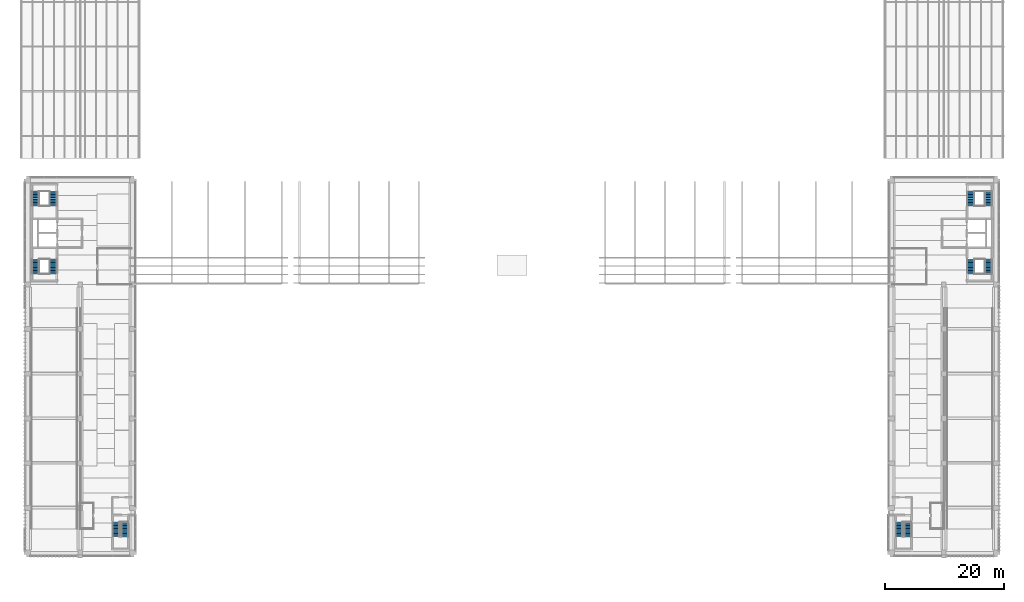
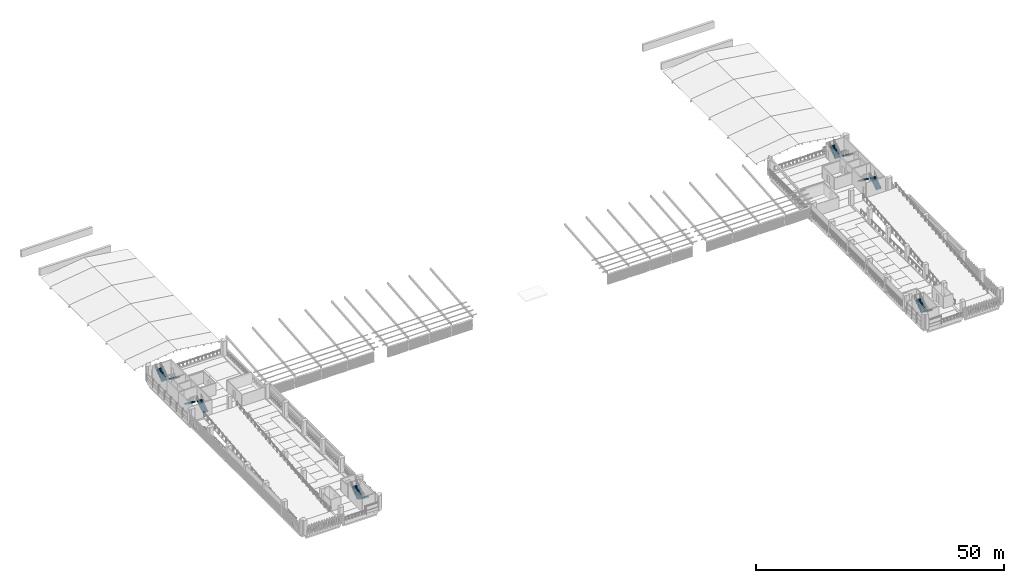
# One storey, part 26 of 52: 12 stair flights, 6 elements without a shape of their own.
"""IFC4 building model written with IfcOpenShell, lengths in metres."""

from ifc_helpers import new_model, si_unit, direction, frame, origin, place, context, subcontext, project, spatial, polyline, outline, extrude, material, type_object, element, aggregate, save


model = new_model("IFC4")

# Units and contexts
model_context = context("Model", 3, precision=1e-05, world=origin(), true_north=direction((0.0, 1.0)))
body_context = subcontext(model_context, "Body", "Model", "MODEL_VIEW")
ifc_project = project(units=[si_unit("LENGTHUNIT", "METRE"), si_unit("AREAUNIT", "SQUARE_METRE"), si_unit("VOLUMEUNIT", "CUBIC_METRE"), si_unit("PLANEANGLEUNIT", "RADIAN"), si_unit("MASSUNIT", "GRAM", prefix="KILO")], contexts=[model_context])

# Site, building, storey
site_placement = place(None, origin())
site = spatial("IfcSite", under=ifc_project, at=site_placement, CompositionType="ELEMENT")
building_placement = place(site_placement, origin())
building = spatial("IfcBuilding", under=site, at=building_placement, Name="Cour d'Honneur Mobility Palace", CompositionType="ELEMENT")
storey_placement = place(building_placement, frame((0.0, 0.0, 23.0)))
storey = spatial("IfcBuildingStorey", under=building, at=storey_placement, Name="L06", CompositionType="ELEMENT", Elevation=23.0)

# Stair, stair flights
ifc_material_1 = material(Name="Concrete C50", Category="concrete")
stair_type = type_object("IfcStairType", Name="Stair 20 risers", PredefinedType="HALF_TURN_STAIR", material=ifc_material_1)
stair_1_placement = place(storey_placement, origin())
stair_1 = element("IfcStair", 1, at=stair_1_placement, inside=storey, type_object=stair_type, Name="Stair ST-CW1", PredefinedType="HALF_TURN_STAIR")
ifc_material_2 = material(Name="Concrete C50", Category="concrete")
stair_flight_type = type_object("IfcStairFlightType", Name="Stair flight 1250", PredefinedType="STRAIGHT", material=ifc_material_2)
stair_flight_1_placement = place(storey_placement, frame((4.175048828125, 46.77490234375, 0.0), z_axis=(0.0, 0.0, 1.0), x_axis=(0.0, 1.0, 0.0)))
stair_flight_1 = element("IfcStairFlight", 2, at=stair_flight_1_placement, type_object=stair_flight_type, Name="ST-CW1 flight 1", NumberOfRisers=10, NumberOfTreads=9, PredefinedType="STRAIGHT", RiserHeight=0.185, TreadLength=0.27, context=body_context, shape_type="SweptSolid", body=[
    extrude(outline(polyline([(0.0, 0.0), (0.0, 0.18505859375), (0.27001953125, 0.18505859375), (0.27001953125, 0.3701171875), (0.5400390625, 0.3701171875), (0.5400390625, 0.554931640625), (0.81005859375, 0.554931640625), (0.81005859375, 0.739990234375), (1.080078125, 0.739990234375), (1.080078125, 0.925048828125), (1.35009765625, 0.925048828125), (1.35009765625, 1.110107421875), (1.6201171875, 1.110107421875), (1.6201171875, 1.294921875), (1.889892578125, 1.294921875), (1.889892578125, 1.47998046875), (2.159912109375, 1.47998046875), (2.159912109375, 1.6650390625), (2.429931640625, 1.6650390625), (2.47998046875, 1.6650390625), (2.47998046875, 1.4833984375), (0.26513671875, 0.0), (0.0, 0.0)])), frame((0.0, 0.625, 0.0), z_axis=(0.0, -1.0, 0.0), x_axis=(1.0, 0.0, 0.0)), (0.0, 0.0, 1.0), 1.25),
])
stair_flight_2_placement = place(storey_placement, frame((1.199951171875, 49.205078125, 1.85009765625), z_axis=(0.0, 0.0, 1.0), x_axis=(0.0, -1.0, 0.0)))
stair_flight_2 = element("IfcStairFlight", 3, at=stair_flight_2_placement, type_object=stair_flight_type, Name="ST-CW1 flight 2", NumberOfRisers=10, NumberOfTreads=9, PredefinedType="STRAIGHT", RiserHeight=0.185, TreadLength=0.27, context=body_context, shape_type="SweptSolid", body=[
    extrude(outline(polyline([(0.0, 0.0), (0.0, 0.18505859375), (0.27001953125, 0.18505859375), (0.27001953125, 0.3701171875), (0.5400390625, 0.3701171875), (0.5400390625, 0.554931640625), (0.81005859375, 0.554931640625), (0.81005859375, 0.739990234375), (1.080078125, 0.739990234375), (1.080078125, 0.925048828125), (1.35009765625, 0.925048828125), (1.35009765625, 1.110107421875), (1.6201171875, 1.110107421875), (1.6201171875, 1.294921875), (1.889892578125, 1.294921875), (1.889892578125, 1.47998046875), (2.159912109375, 1.47998046875), (2.159912109375, 1.6650390625), (2.429931640625, 1.6650390625), (2.47998046875, 1.6650390625), (2.47998046875, 1.4833984375), (0.26513671875, 0.0), (0.0, 0.0)])), frame((0.0, 0.625, 0.0), z_axis=(0.0, -1.0, 0.0), x_axis=(1.0, 0.0, 0.0)), (0.0, 0.0, 1.0), 1.25),
])
aggregate(stair_1, [stair_flight_1, stair_flight_2])

stair_2_placement = place(storey_placement, origin())
stair_2 = element("IfcStair", 4, at=stair_2_placement, inside=storey, type_object=stair_type, Name="Stair ST-CW2", PredefinedType="HALF_TURN_STAIR")
stair_flight_3_placement = place(storey_placement, frame((4.175048828125, 60.625, 0.0), z_axis=(0.0, 0.0, 1.0), x_axis=(0.0, -1.0, 0.0)))
stair_flight_3 = element("IfcStairFlight", 5, at=stair_flight_3_placement, type_object=stair_flight_type, Name="ST-CW2 flight 1", NumberOfRisers=10, NumberOfTreads=9, PredefinedType="STRAIGHT", RiserHeight=0.185, TreadLength=0.27, context=body_context, shape_type="SweptSolid", body=[
    extrude(outline(polyline([(0.0, 0.0), (0.0, 0.18505859375), (0.27001953125, 0.18505859375), (0.27001953125, 0.3701171875), (0.5400390625, 0.3701171875), (0.5400390625, 0.554931640625), (0.81005859375, 0.554931640625), (0.81005859375, 0.739990234375), (1.080078125, 0.739990234375), (1.080078125, 0.925048828125), (1.35009765625, 0.925048828125), (1.35009765625, 1.110107421875), (1.6201171875, 1.110107421875), (1.6201171875, 1.294921875), (1.889892578125, 1.294921875), (1.889892578125, 1.47998046875), (2.159912109375, 1.47998046875), (2.159912109375, 1.6650390625), (2.429931640625, 1.6650390625), (2.47998046875, 1.6650390625), (2.47998046875, 1.4833984375), (0.26513671875, 0.0), (0.0, 0.0)])), frame((0.0, 0.625, 0.0), z_axis=(0.0, -1.0, 0.0), x_axis=(1.0, 0.0, 0.0)), (0.0, 0.0, 1.0), 1.25),
])
stair_flight_4_placement = place(storey_placement, frame((1.199951171875, 58.195068359375, 1.85009765625), z_axis=(0.0, 0.0, 1.0), x_axis=(0.0, 1.0, 0.0)))
stair_flight_4 = element("IfcStairFlight", 6, at=stair_flight_4_placement, type_object=stair_flight_type, Name="ST-CW2 flight 2", NumberOfRisers=10, NumberOfTreads=9, PredefinedType="STRAIGHT", RiserHeight=0.185, TreadLength=0.27, context=body_context, shape_type="SweptSolid", body=[
    extrude(outline(polyline([(0.0, 0.0), (0.0, 0.18505859375), (0.27001953125, 0.18505859375), (0.27001953125, 0.3701171875), (0.5400390625, 0.3701171875), (0.5400390625, 0.554931640625), (0.81005859375, 0.554931640625), (0.81005859375, 0.739990234375), (1.080078125, 0.739990234375), (1.080078125, 0.925048828125), (1.35009765625, 0.925048828125), (1.35009765625, 1.110107421875), (1.6201171875, 1.110107421875), (1.6201171875, 1.294921875), (1.889892578125, 1.294921875), (1.889892578125, 1.47998046875), (2.159912109375, 1.47998046875), (2.159912109375, 1.6650390625), (2.429931640625, 1.6650390625), (2.47998046875, 1.6650390625), (2.47998046875, 1.4833984375), (0.26513671875, 0.0), (0.0, 0.0)])), frame((0.0, 0.625, 0.0), z_axis=(0.0, -1.0, 0.0), x_axis=(1.0, 0.0, 0.0)), (0.0, 0.0, 1.0), 1.25),
])
aggregate(stair_2, [stair_flight_3, stair_flight_4])

stair_3_placement = place(storey_placement, origin())
stair_3 = element("IfcStair", 7, at=stair_3_placement, inside=storey, type_object=stair_type, Name="Stair ST-CE1", PredefinedType="HALF_TURN_STAIR")
stair_flight_5_placement = place(storey_placement, frame((161.10009765625, 46.77490234375, 0.0), z_axis=(0.0, 0.0, 1.0), x_axis=(0.0, 1.0, 0.0)))
stair_flight_5 = element("IfcStairFlight", 8, at=stair_flight_5_placement, type_object=stair_flight_type, Name="ST-CE1 flight 1", NumberOfRisers=10, NumberOfTreads=9, PredefinedType="STRAIGHT", RiserHeight=0.185, TreadLength=0.27, context=body_context, shape_type="SweptSolid", body=[
    extrude(outline(polyline([(0.0, 0.0), (0.0, 0.18505859375), (0.27001953125, 0.18505859375), (0.27001953125, 0.3701171875), (0.5400390625, 0.3701171875), (0.5400390625, 0.554931640625), (0.81005859375, 0.554931640625), (0.81005859375, 0.739990234375), (1.080078125, 0.739990234375), (1.080078125, 0.925048828125), (1.35009765625, 0.925048828125), (1.35009765625, 1.110107421875), (1.6201171875, 1.110107421875), (1.6201171875, 1.294921875), (1.889892578125, 1.294921875), (1.889892578125, 1.47998046875), (2.159912109375, 1.47998046875), (2.159912109375, 1.6650390625), (2.429931640625, 1.6650390625), (2.47998046875, 1.6650390625), (2.47998046875, 1.4833984375), (0.26513671875, 0.0), (0.0, 0.0)])), frame((0.0, 0.625, 0.0), z_axis=(0.0, -1.0, 0.0), x_axis=(1.0, 0.0, 0.0)), (0.0, 0.0, 1.0), 1.25),
])
stair_flight_6_placement = place(storey_placement, frame((158.125, 49.205078125, 1.85009765625), z_axis=(0.0, 0.0, 1.0), x_axis=(0.0, -1.0, 0.0)))
stair_flight_6 = element("IfcStairFlight", 9, at=stair_flight_6_placement, type_object=stair_flight_type, Name="ST-CE1 flight 2", NumberOfRisers=10, NumberOfTreads=9, PredefinedType="STRAIGHT", RiserHeight=0.185, TreadLength=0.27, context=body_context, shape_type="SweptSolid", body=[
    extrude(outline(polyline([(0.0, 0.0), (0.0, 0.18505859375), (0.27001953125, 0.18505859375), (0.27001953125, 0.3701171875), (0.5400390625, 0.3701171875), (0.5400390625, 0.554931640625), (0.81005859375, 0.554931640625), (0.81005859375, 0.739990234375), (1.080078125, 0.739990234375), (1.080078125, 0.925048828125), (1.35009765625, 0.925048828125), (1.35009765625, 1.110107421875), (1.6201171875, 1.110107421875), (1.6201171875, 1.294921875), (1.889892578125, 1.294921875), (1.889892578125, 1.47998046875), (2.159912109375, 1.47998046875), (2.159912109375, 1.6650390625), (2.429931640625, 1.6650390625), (2.47998046875, 1.6650390625), (2.47998046875, 1.4833984375), (0.26513671875, 0.0), (0.0, 0.0)])), frame((0.0, 0.625, 0.0), z_axis=(0.0, -1.0, 0.0), x_axis=(1.0, 0.0, 0.0)), (0.0, 0.0, 1.0), 1.25),
])
aggregate(stair_3, [stair_flight_5, stair_flight_6])

stair_4_placement = place(storey_placement, origin())
stair_4 = element("IfcStair", 10, at=stair_4_placement, inside=storey, type_object=stair_type, Name="Stair ST-CE2", PredefinedType="HALF_TURN_STAIR")
stair_flight_7_placement = place(storey_placement, frame((161.10009765625, 60.625, 0.0), z_axis=(0.0, 0.0, 1.0), x_axis=(0.0, -1.0, 0.0)))
stair_flight_7 = element("IfcStairFlight", 11, at=stair_flight_7_placement, type_object=stair_flight_type, Name="ST-CE2 flight 1", NumberOfRisers=10, NumberOfTreads=9, PredefinedType="STRAIGHT", RiserHeight=0.185, TreadLength=0.27, context=body_context, shape_type="SweptSolid", body=[
    extrude(outline(polyline([(0.0, 0.0), (0.0, 0.18505859375), (0.27001953125, 0.18505859375), (0.27001953125, 0.3701171875), (0.5400390625, 0.3701171875), (0.5400390625, 0.554931640625), (0.81005859375, 0.554931640625), (0.81005859375, 0.739990234375), (1.080078125, 0.739990234375), (1.080078125, 0.925048828125), (1.35009765625, 0.925048828125), (1.35009765625, 1.110107421875), (1.6201171875, 1.110107421875), (1.6201171875, 1.294921875), (1.889892578125, 1.294921875), (1.889892578125, 1.47998046875), (2.159912109375, 1.47998046875), (2.159912109375, 1.6650390625), (2.429931640625, 1.6650390625), (2.47998046875, 1.6650390625), (2.47998046875, 1.4833984375), (0.26513671875, 0.0), (0.0, 0.0)])), frame((0.0, 0.625, 0.0), z_axis=(0.0, -1.0, 0.0), x_axis=(1.0, 0.0, 0.0)), (0.0, 0.0, 1.0), 1.25),
])
stair_flight_8_placement = place(storey_placement, frame((158.125, 58.195068359375, 1.85009765625), z_axis=(0.0, 0.0, 1.0), x_axis=(0.0, 1.0, 0.0)))
stair_flight_8 = element("IfcStairFlight", 12, at=stair_flight_8_placement, type_object=stair_flight_type, Name="ST-CE2 flight 2", NumberOfRisers=10, NumberOfTreads=9, PredefinedType="STRAIGHT", RiserHeight=0.185, TreadLength=0.27, context=body_context, shape_type="SweptSolid", body=[
    extrude(outline(polyline([(0.0, 0.0), (0.0, 0.18505859375), (0.27001953125, 0.18505859375), (0.27001953125, 0.3701171875), (0.5400390625, 0.3701171875), (0.5400390625, 0.554931640625), (0.81005859375, 0.554931640625), (0.81005859375, 0.739990234375), (1.080078125, 0.739990234375), (1.080078125, 0.925048828125), (1.35009765625, 0.925048828125), (1.35009765625, 1.110107421875), (1.6201171875, 1.110107421875), (1.6201171875, 1.294921875), (1.889892578125, 1.294921875), (1.889892578125, 1.47998046875), (2.159912109375, 1.47998046875), (2.159912109375, 1.6650390625), (2.429931640625, 1.6650390625), (2.47998046875, 1.6650390625), (2.47998046875, 1.4833984375), (0.26513671875, 0.0), (0.0, 0.0)])), frame((0.0, 0.625, 0.0), z_axis=(0.0, -1.0, 0.0), x_axis=(1.0, 0.0, 0.0)), (0.0, 0.0, 1.0), 1.25),
])
aggregate(stair_4, [stair_flight_7, stair_flight_8])

stair_5_placement = place(storey_placement, origin())
stair_5 = element("IfcStair", 13, at=stair_5_placement, inside=storey, type_object=stair_type, Name="Stair ST-RW1", PredefinedType="HALF_TURN_STAIR")
stair_flight_9_placement = place(storey_placement, frame((16.199951171875, 5.10009765625, 0.0), z_axis=(0.0, 0.0, 1.0), x_axis=(0.0, -1.0, 0.0)))
stair_flight_9 = element("IfcStairFlight", 14, at=stair_flight_9_placement, type_object=stair_flight_type, Name="ST-RW1 flight 1", NumberOfRisers=10, NumberOfTreads=9, PredefinedType="STRAIGHT", RiserHeight=0.185, TreadLength=0.27, context=body_context, shape_type="SweptSolid", body=[
    extrude(outline(polyline([(0.0, 0.0), (0.0, 0.18505859375), (0.27001953125, 0.18505859375), (0.27001953125, 0.3701171875), (0.5400390625, 0.3701171875), (0.5400390625, 0.554931640625), (0.81005859375, 0.554931640625), (0.81005859375, 0.739990234375), (1.080078125, 0.739990234375), (1.080078125, 0.925048828125), (1.35009765625, 0.925048828125), (1.35009765625, 1.110107421875), (1.6201171875, 1.110107421875), (1.6201171875, 1.294921875), (1.889892578125, 1.294921875), (1.889892578125, 1.47998046875), (2.159912109375, 1.47998046875), (2.159912109375, 1.6650390625), (2.429931640625, 1.6650390625), (2.47998046875, 1.6650390625), (2.47998046875, 1.4833984375), (0.26513671875, 0.0), (0.0, 0.0)])), frame((0.0, 0.625, 0.0), z_axis=(0.0, -1.0, 0.0), x_axis=(1.0, 0.0, 0.0)), (0.0, 0.0, 1.0), 1.25),
])
stair_flight_10_placement = place(storey_placement, frame((14.72509765625, 2.669921875, 1.85009765625), z_axis=(0.0, 0.0, 1.0), x_axis=(0.0, 1.0, 0.0)))
stair_flight_10 = element("IfcStairFlight", 15, at=stair_flight_10_placement, type_object=stair_flight_type, Name="ST-RW1 flight 2", NumberOfRisers=10, NumberOfTreads=9, PredefinedType="STRAIGHT", RiserHeight=0.185, TreadLength=0.27, context=body_context, shape_type="SweptSolid", body=[
    extrude(outline(polyline([(0.0, 0.0), (0.0, 0.18505859375), (0.27001953125, 0.18505859375), (0.27001953125, 0.3701171875), (0.5400390625, 0.3701171875), (0.5400390625, 0.554931640625), (0.81005859375, 0.554931640625), (0.81005859375, 0.739990234375), (1.080078125, 0.739990234375), (1.080078125, 0.925048828125), (1.35009765625, 0.925048828125), (1.35009765625, 1.110107421875), (1.6201171875, 1.110107421875), (1.6201171875, 1.294921875), (1.889892578125, 1.294921875), (1.889892578125, 1.47998046875), (2.159912109375, 1.47998046875), (2.159912109375, 1.6650390625), (2.429931640625, 1.6650390625), (2.47998046875, 1.6650390625), (2.47998046875, 1.4833984375), (0.26513671875, 0.0), (0.0, 0.0)])), frame((0.0, 0.625, 0.0), z_axis=(0.0, -1.0, 0.0), x_axis=(1.0, 0.0, 0.0)), (0.0, 0.0, 1.0), 1.25),
])
aggregate(stair_5, [stair_flight_9, stair_flight_10])

stair_6_placement = place(storey_placement, origin())
stair_6 = element("IfcStair", 16, at=stair_6_placement, inside=storey, type_object=stair_type, Name="Stair ST-RE1", PredefinedType="HALF_TURN_STAIR")
stair_flight_11_placement = place(storey_placement, frame((147.574951171875, 5.10009765625, 0.0), z_axis=(0.0, 0.0, 1.0), x_axis=(0.0, -1.0, 0.0)))
stair_flight_11 = element("IfcStairFlight", 17, at=stair_flight_11_placement, type_object=stair_flight_type, Name="ST-RE1 flight 1", NumberOfRisers=10, NumberOfTreads=9, PredefinedType="STRAIGHT", RiserHeight=0.185, TreadLength=0.27, context=body_context, shape_type="SweptSolid", body=[
    extrude(outline(polyline([(0.0, 0.0), (0.0, 0.18505859375), (0.27001953125, 0.18505859375), (0.27001953125, 0.3701171875), (0.5400390625, 0.3701171875), (0.5400390625, 0.554931640625), (0.81005859375, 0.554931640625), (0.81005859375, 0.739990234375), (1.080078125, 0.739990234375), (1.080078125, 0.925048828125), (1.35009765625, 0.925048828125), (1.35009765625, 1.110107421875), (1.6201171875, 1.110107421875), (1.6201171875, 1.294921875), (1.889892578125, 1.294921875), (1.889892578125, 1.47998046875), (2.159912109375, 1.47998046875), (2.159912109375, 1.6650390625), (2.429931640625, 1.6650390625), (2.47998046875, 1.6650390625), (2.47998046875, 1.4833984375), (0.26513671875, 0.0), (0.0, 0.0)])), frame((0.0, 0.625, 0.0), z_axis=(0.0, -1.0, 0.0), x_axis=(1.0, 0.0, 0.0)), (0.0, 0.0, 1.0), 1.25),
])
stair_flight_12_placement = place(storey_placement, frame((146.10009765625, 2.669921875, 1.85009765625), z_axis=(0.0, 0.0, 1.0), x_axis=(0.0, 1.0, 0.0)))
stair_flight_12 = element("IfcStairFlight", 18, at=stair_flight_12_placement, type_object=stair_flight_type, Name="ST-RE1 flight 2", NumberOfRisers=10, NumberOfTreads=9, PredefinedType="STRAIGHT", RiserHeight=0.185, TreadLength=0.27, context=body_context, shape_type="SweptSolid", body=[
    extrude(outline(polyline([(0.0, 0.0), (0.0, 0.18505859375), (0.27001953125, 0.18505859375), (0.27001953125, 0.3701171875), (0.5400390625, 0.3701171875), (0.5400390625, 0.554931640625), (0.81005859375, 0.554931640625), (0.81005859375, 0.739990234375), (1.080078125, 0.739990234375), (1.080078125, 0.925048828125), (1.35009765625, 0.925048828125), (1.35009765625, 1.110107421875), (1.6201171875, 1.110107421875), (1.6201171875, 1.294921875), (1.889892578125, 1.294921875), (1.889892578125, 1.47998046875), (2.159912109375, 1.47998046875), (2.159912109375, 1.6650390625), (2.429931640625, 1.6650390625), (2.47998046875, 1.6650390625), (2.47998046875, 1.4833984375), (0.26513671875, 0.0), (0.0, 0.0)])), frame((0.0, 0.625, 0.0), z_axis=(0.0, -1.0, 0.0), x_axis=(1.0, 0.0, 0.0)), (0.0, 0.0, 1.0), 1.25),
])
aggregate(stair_6, [stair_flight_11, stair_flight_12])

save(model, "model.ifc")
